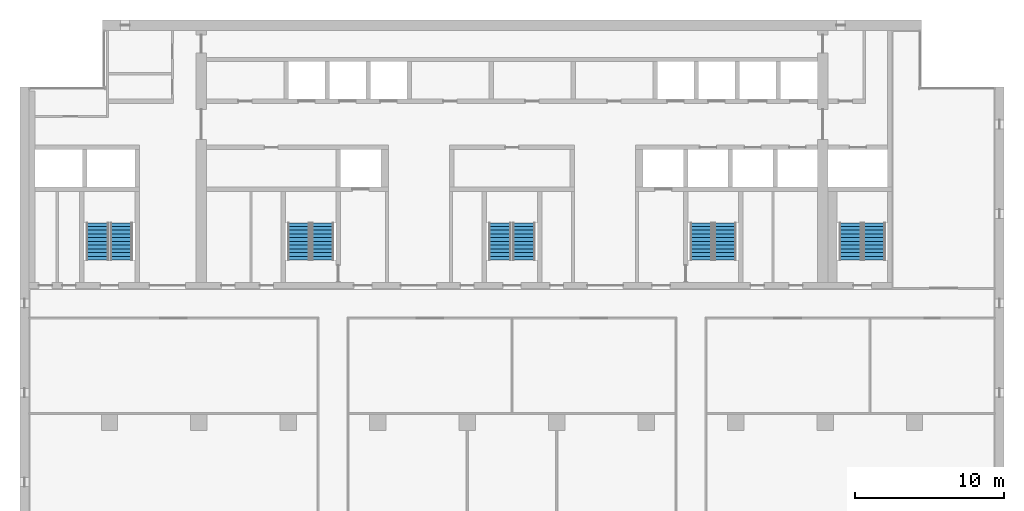
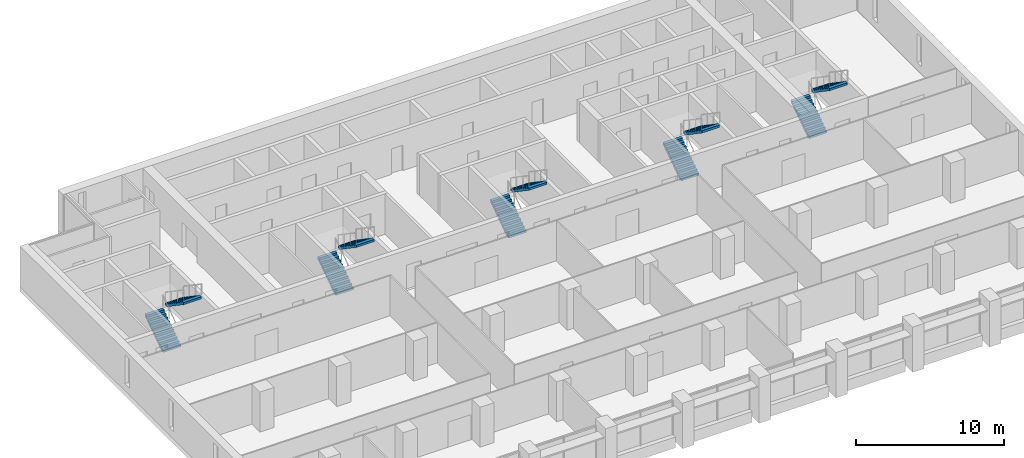
# One storey, part 13 of 17: 10 stair flights, 5 elements without a shape of their own.
"""IFC4 building model written with IfcOpenShell, lengths in metres."""

from ifc_helpers import new_model, si_unit, direction, frame, origin, place, context, subcontext, project, spatial, polyline, outline, extrude, material, type_object, element, aggregate, save


model = new_model("IFC4")

# Units and contexts
model_context = context("Model", 3, precision=1e-05, world=origin(), true_north=direction((0.0, 1.0)))
body_context = subcontext(model_context, "Body", "Model", "MODEL_VIEW")
ifc_project = project(units=[si_unit("LENGTHUNIT", "METRE"), si_unit("AREAUNIT", "SQUARE_METRE"), si_unit("VOLUMEUNIT", "CUBIC_METRE"), si_unit("PLANEANGLEUNIT", "RADIAN"), si_unit("MASSUNIT", "GRAM", prefix="KILO")], contexts=[model_context])

# Site, building, storey
site_placement = place(None, origin())
site = spatial("IfcSite", under=ifc_project, at=site_placement, CompositionType="ELEMENT")
building_placement = place(site_placement, origin())
building = spatial("IfcBuilding", under=site, at=building_placement, Name="Calvaro Tower", CompositionType="ELEMENT")
storey_placement = place(building_placement, frame((0.0, 0.0, 189.25)))
storey = spatial("IfcBuildingStorey", under=building, at=storey_placement, Name="L47", CompositionType="ELEMENT", Elevation=189.25)

# Stair, stair flights
ifc_material_1 = material(Name="Concrete C40/50", Category="concrete")
stair_type = type_object("IfcStairType", Name="Exit stair 1400 2 flights", PredefinedType="HALF_TURN_STAIR", material=ifc_material_1)
stair_1_placement = place(storey_placement, origin())
stair_1 = element("IfcStair", 1, at=stair_1_placement, inside=storey, type_object=stair_type, Name="Exit stair S1", PredefinedType="HALF_TURN_STAIR")
ifc_material_2 = material(Name="Concrete C40/50", Category="concrete")
stair_flight_type = type_object("IfcStairFlightType", Name="Stair flight", PredefinedType="STRAIGHT", material=ifc_material_2)
stair_flight_1_placement = place(storey_placement, frame((11.199951171875, 29.89990234375, 0.0), z_axis=(0.0, 0.0, 1.0), x_axis=(0.0, 1.0, 0.0)))
stair_flight_1 = element("IfcStairFlight", 2, at=stair_flight_1_placement, type_object=stair_flight_type, Name="Exit stair 1, flight 1", NumberOfRisers=11, NumberOfTreads=10, PredefinedType="STRAIGHT", RiserHeight=0.170454545, TreadLength=0.25, context=body_context, shape_type="SweptSolid", body=[
    extrude(outline(polyline([(0.0, 0.0), (0.0, 0.17041015625), (0.25, 0.17041015625), (0.25, 0.3408203125), (0.5, 0.3408203125), (0.5, 0.511474609375), (0.75, 0.511474609375), (0.75, 0.681884765625), (1.0, 0.681884765625), (1.0, 0.852294921875), (1.25, 0.852294921875), (1.25, 1.022705078125), (1.5, 1.022705078125), (1.5, 1.193115234375), (1.75, 1.193115234375), (1.75, 1.363525390625), (2.0, 1.363525390625), (2.0, 1.5341796875), (2.25, 1.5341796875), (2.25, 1.70458984375), (2.5, 1.70458984375), (2.5, 1.875), (2.5, 1.523193359375), (0.26611328125, 0.0), (0.0, 0.0)])), frame((0.0, 0.699951171875, 0.0), z_axis=(0.0, -1.0, 0.0), x_axis=(1.0, 0.0, 0.0)), (0.0, 0.0, 1.0), 1.39990234375),
])
stair_flight_2_placement = place(storey_placement, frame((12.800048828125, 32.39990234375, 1.875), z_axis=(0.0, 0.0, 1.0), x_axis=(0.0, -1.0, 0.0)))
stair_flight_2 = element("IfcStairFlight", 3, at=stair_flight_2_placement, type_object=stair_flight_type, Name="Exit stair 1, flight 2", NumberOfRisers=11, NumberOfTreads=10, PredefinedType="STRAIGHT", RiserHeight=0.170454545, TreadLength=0.25, context=body_context, shape_type="SweptSolid", body=[
    extrude(outline(polyline([(0.0, 0.0), (0.0, 0.17041015625), (0.25, 0.17041015625), (0.25, 0.3408203125), (0.5, 0.3408203125), (0.5, 0.511474609375), (0.75, 0.511474609375), (0.75, 0.681884765625), (1.0, 0.681884765625), (1.0, 0.852294921875), (1.25, 0.852294921875), (1.25, 1.022705078125), (1.5, 1.022705078125), (1.5, 1.193115234375), (1.75, 1.193115234375), (1.75, 1.363525390625), (2.0, 1.363525390625), (2.0, 1.5341796875), (2.25, 1.5341796875), (2.25, 1.70458984375), (2.5, 1.70458984375), (2.5, 1.875), (2.5, 1.523193359375), (0.26611328125, 0.0), (0.0, 0.0)])), frame((0.0, 0.699951171875, 0.0), z_axis=(0.0, -1.0, 0.0), x_axis=(1.0, 0.0, 0.0)), (0.0, 0.0, 1.0), 1.39990234375),
])
aggregate(stair_1, [stair_flight_1, stair_flight_2])

stair_2_placement = place(storey_placement, origin())
stair_2 = element("IfcStair", 4, at=stair_2_placement, inside=storey, type_object=stair_type, Name="Exit stair S2", PredefinedType="HALF_TURN_STAIR")
stair_flight_3_placement = place(storey_placement, frame((24.699951171875, 29.89990234375, 0.0), z_axis=(0.0, 0.0, 1.0), x_axis=(0.0, 1.0, 0.0)))
stair_flight_3 = element("IfcStairFlight", 5, at=stair_flight_3_placement, type_object=stair_flight_type, Name="Exit stair 2, flight 1", NumberOfRisers=11, NumberOfTreads=10, PredefinedType="STRAIGHT", RiserHeight=0.170454545, TreadLength=0.25, context=body_context, shape_type="SweptSolid", body=[
    extrude(outline(polyline([(0.0, 0.0), (0.0, 0.17041015625), (0.25, 0.17041015625), (0.25, 0.3408203125), (0.5, 0.3408203125), (0.5, 0.511474609375), (0.75, 0.511474609375), (0.75, 0.681884765625), (1.0, 0.681884765625), (1.0, 0.852294921875), (1.25, 0.852294921875), (1.25, 1.022705078125), (1.5, 1.022705078125), (1.5, 1.193115234375), (1.75, 1.193115234375), (1.75, 1.363525390625), (2.0, 1.363525390625), (2.0, 1.5341796875), (2.25, 1.5341796875), (2.25, 1.70458984375), (2.5, 1.70458984375), (2.5, 1.875), (2.5, 1.523193359375), (0.26611328125, 0.0), (0.0, 0.0)])), frame((0.0, 0.699951171875, 0.0), z_axis=(0.0, -1.0, 0.0), x_axis=(1.0, 0.0, 0.0)), (0.0, 0.0, 1.0), 1.39990234375),
])
stair_flight_4_placement = place(storey_placement, frame((26.300048828125, 32.39990234375, 1.875), z_axis=(0.0, 0.0, 1.0), x_axis=(0.0, -1.0, 0.0)))
stair_flight_4 = element("IfcStairFlight", 6, at=stair_flight_4_placement, type_object=stair_flight_type, Name="Exit stair 2, flight 2", NumberOfRisers=11, NumberOfTreads=10, PredefinedType="STRAIGHT", RiserHeight=0.170454545, TreadLength=0.25, context=body_context, shape_type="SweptSolid", body=[
    extrude(outline(polyline([(0.0, 0.0), (0.0, 0.17041015625), (0.25, 0.17041015625), (0.25, 0.3408203125), (0.5, 0.3408203125), (0.5, 0.511474609375), (0.75, 0.511474609375), (0.75, 0.681884765625), (1.0, 0.681884765625), (1.0, 0.852294921875), (1.25, 0.852294921875), (1.25, 1.022705078125), (1.5, 1.022705078125), (1.5, 1.193115234375), (1.75, 1.193115234375), (1.75, 1.363525390625), (2.0, 1.363525390625), (2.0, 1.5341796875), (2.25, 1.5341796875), (2.25, 1.70458984375), (2.5, 1.70458984375), (2.5, 1.875), (2.5, 1.523193359375), (0.26611328125, 0.0), (0.0, 0.0)])), frame((0.0, 0.699951171875, 0.0), z_axis=(0.0, -1.0, 0.0), x_axis=(1.0, 0.0, 0.0)), (0.0, 0.0, 1.0), 1.39990234375),
])
aggregate(stair_2, [stair_flight_3, stair_flight_4])

stair_3_placement = place(storey_placement, origin())
stair_3 = element("IfcStair", 7, at=stair_3_placement, inside=storey, type_object=stair_type, Name="Exit stair S3", PredefinedType="HALF_TURN_STAIR")
stair_flight_5_placement = place(storey_placement, frame((38.199951171875, 29.89990234375, 0.0), z_axis=(0.0, 0.0, 1.0), x_axis=(0.0, 1.0, 0.0)))
stair_flight_5 = element("IfcStairFlight", 8, at=stair_flight_5_placement, type_object=stair_flight_type, Name="Exit stair 3, flight 1", NumberOfRisers=11, NumberOfTreads=10, PredefinedType="STRAIGHT", RiserHeight=0.170454545, TreadLength=0.25, context=body_context, shape_type="SweptSolid", body=[
    extrude(outline(polyline([(0.0, 0.0), (0.0, 0.17041015625), (0.25, 0.17041015625), (0.25, 0.3408203125), (0.5, 0.3408203125), (0.5, 0.511474609375), (0.75, 0.511474609375), (0.75, 0.681884765625), (1.0, 0.681884765625), (1.0, 0.852294921875), (1.25, 0.852294921875), (1.25, 1.022705078125), (1.5, 1.022705078125), (1.5, 1.193115234375), (1.75, 1.193115234375), (1.75, 1.363525390625), (2.0, 1.363525390625), (2.0, 1.5341796875), (2.25, 1.5341796875), (2.25, 1.70458984375), (2.5, 1.70458984375), (2.5, 1.875), (2.5, 1.523193359375), (0.26611328125, 0.0), (0.0, 0.0)])), frame((0.0, 0.699951171875, 0.0), z_axis=(0.0, -1.0, 0.0), x_axis=(1.0, 0.0, 0.0)), (0.0, 0.0, 1.0), 1.39990234375),
])
stair_flight_6_placement = place(storey_placement, frame((39.800048828125, 32.39990234375, 1.875), z_axis=(0.0, 0.0, 1.0), x_axis=(0.0, -1.0, 0.0)))
stair_flight_6 = element("IfcStairFlight", 9, at=stair_flight_6_placement, type_object=stair_flight_type, Name="Exit stair 3, flight 2", NumberOfRisers=11, NumberOfTreads=10, PredefinedType="STRAIGHT", RiserHeight=0.170454545, TreadLength=0.25, context=body_context, shape_type="SweptSolid", body=[
    extrude(outline(polyline([(0.0, 0.0), (0.0, 0.17041015625), (0.25, 0.17041015625), (0.25, 0.3408203125), (0.5, 0.3408203125), (0.5, 0.511474609375), (0.75, 0.511474609375), (0.75, 0.681884765625), (1.0, 0.681884765625), (1.0, 0.852294921875), (1.25, 0.852294921875), (1.25, 1.022705078125), (1.5, 1.022705078125), (1.5, 1.193115234375), (1.75, 1.193115234375), (1.75, 1.363525390625), (2.0, 1.363525390625), (2.0, 1.5341796875), (2.25, 1.5341796875), (2.25, 1.70458984375), (2.5, 1.70458984375), (2.5, 1.875), (2.5, 1.523193359375), (0.26611328125, 0.0), (0.0, 0.0)])), frame((0.0, 0.699951171875, 0.0), z_axis=(0.0, -1.0, 0.0), x_axis=(1.0, 0.0, 0.0)), (0.0, 0.0, 1.0), 1.39990234375),
])
aggregate(stair_3, [stair_flight_5, stair_flight_6])

stair_4_placement = place(storey_placement, origin())
stair_4 = element("IfcStair", 10, at=stair_4_placement, inside=storey, type_object=stair_type, Name="Exit stair S4", PredefinedType="HALF_TURN_STAIR")
stair_flight_7_placement = place(storey_placement, frame((51.699951171875, 29.89990234375, 0.0), z_axis=(0.0, 0.0, 1.0), x_axis=(0.0, 1.0, 0.0)))
stair_flight_7 = element("IfcStairFlight", 11, at=stair_flight_7_placement, type_object=stair_flight_type, Name="Exit stair 4, flight 1", NumberOfRisers=11, NumberOfTreads=10, PredefinedType="STRAIGHT", RiserHeight=0.170454545, TreadLength=0.25, context=body_context, shape_type="SweptSolid", body=[
    extrude(outline(polyline([(0.0, 0.0), (0.0, 0.17041015625), (0.25, 0.17041015625), (0.25, 0.3408203125), (0.5, 0.3408203125), (0.5, 0.511474609375), (0.75, 0.511474609375), (0.75, 0.681884765625), (1.0, 0.681884765625), (1.0, 0.852294921875), (1.25, 0.852294921875), (1.25, 1.022705078125), (1.5, 1.022705078125), (1.5, 1.193115234375), (1.75, 1.193115234375), (1.75, 1.363525390625), (2.0, 1.363525390625), (2.0, 1.5341796875), (2.25, 1.5341796875), (2.25, 1.70458984375), (2.5, 1.70458984375), (2.5, 1.875), (2.5, 1.523193359375), (0.26611328125, 0.0), (0.0, 0.0)])), frame((0.0, 0.699951171875, 0.0), z_axis=(0.0, -1.0, 0.0), x_axis=(1.0, 0.0, 0.0)), (0.0, 0.0, 1.0), 1.39990234375),
])
stair_flight_8_placement = place(storey_placement, frame((53.300048828125, 32.39990234375, 1.875), z_axis=(0.0, 0.0, 1.0), x_axis=(0.0, -1.0, 0.0)))
stair_flight_8 = element("IfcStairFlight", 12, at=stair_flight_8_placement, type_object=stair_flight_type, Name="Exit stair 4, flight 2", NumberOfRisers=11, NumberOfTreads=10, PredefinedType="STRAIGHT", RiserHeight=0.170454545, TreadLength=0.25, context=body_context, shape_type="SweptSolid", body=[
    extrude(outline(polyline([(0.0, 0.0), (0.0, 0.17041015625), (0.25, 0.17041015625), (0.25, 0.3408203125), (0.5, 0.3408203125), (0.5, 0.511474609375), (0.75, 0.511474609375), (0.75, 0.681884765625), (1.0, 0.681884765625), (1.0, 0.852294921875), (1.25, 0.852294921875), (1.25, 1.022705078125), (1.5, 1.022705078125), (1.5, 1.193115234375), (1.75, 1.193115234375), (1.75, 1.363525390625), (2.0, 1.363525390625), (2.0, 1.5341796875), (2.25, 1.5341796875), (2.25, 1.70458984375), (2.5, 1.70458984375), (2.5, 1.875), (2.5, 1.523193359375), (0.26611328125, 0.0), (0.0, 0.0)])), frame((0.0, 0.699951171875, 0.0), z_axis=(0.0, -1.0, 0.0), x_axis=(1.0, 0.0, 0.0)), (0.0, 0.0, 1.0), 1.39990234375),
])
aggregate(stair_4, [stair_flight_7, stair_flight_8])

stair_5_placement = place(storey_placement, origin())
stair_5 = element("IfcStair", 13, at=stair_5_placement, inside=storey, type_object=stair_type, Name="Exit stair S5", PredefinedType="HALF_TURN_STAIR")
stair_flight_9_placement = place(storey_placement, frame((61.699951171875, 29.89990234375, 0.0), z_axis=(0.0, 0.0, 1.0), x_axis=(0.0, 1.0, 0.0)))
stair_flight_9 = element("IfcStairFlight", 14, at=stair_flight_9_placement, type_object=stair_flight_type, Name="Exit stair 5, flight 1", NumberOfRisers=11, NumberOfTreads=10, PredefinedType="STRAIGHT", RiserHeight=0.170454545, TreadLength=0.25, context=body_context, shape_type="SweptSolid", body=[
    extrude(outline(polyline([(0.0, 0.0), (0.0, 0.17041015625), (0.25, 0.17041015625), (0.25, 0.3408203125), (0.5, 0.3408203125), (0.5, 0.511474609375), (0.75, 0.511474609375), (0.75, 0.681884765625), (1.0, 0.681884765625), (1.0, 0.852294921875), (1.25, 0.852294921875), (1.25, 1.022705078125), (1.5, 1.022705078125), (1.5, 1.193115234375), (1.75, 1.193115234375), (1.75, 1.363525390625), (2.0, 1.363525390625), (2.0, 1.5341796875), (2.25, 1.5341796875), (2.25, 1.70458984375), (2.5, 1.70458984375), (2.5, 1.875), (2.5, 1.523193359375), (0.26611328125, 0.0), (0.0, 0.0)])), frame((0.0, 0.699951171875, 0.0), z_axis=(0.0, -1.0, 0.0), x_axis=(1.0, 0.0, 0.0)), (0.0, 0.0, 1.0), 1.39990234375),
])
stair_flight_10_placement = place(storey_placement, frame((63.300048828125, 32.39990234375, 1.875), z_axis=(0.0, 0.0, 1.0), x_axis=(0.0, -1.0, 0.0)))
stair_flight_10 = element("IfcStairFlight", 15, at=stair_flight_10_placement, type_object=stair_flight_type, Name="Exit stair 5, flight 2", NumberOfRisers=11, NumberOfTreads=10, PredefinedType="STRAIGHT", RiserHeight=0.170454545, TreadLength=0.25, context=body_context, shape_type="SweptSolid", body=[
    extrude(outline(polyline([(0.0, 0.0), (0.0, 0.17041015625), (0.25, 0.17041015625), (0.25, 0.3408203125), (0.5, 0.3408203125), (0.5, 0.511474609375), (0.75, 0.511474609375), (0.75, 0.681884765625), (1.0, 0.681884765625), (1.0, 0.852294921875), (1.25, 0.852294921875), (1.25, 1.022705078125), (1.5, 1.022705078125), (1.5, 1.193115234375), (1.75, 1.193115234375), (1.75, 1.363525390625), (2.0, 1.363525390625), (2.0, 1.5341796875), (2.25, 1.5341796875), (2.25, 1.70458984375), (2.5, 1.70458984375), (2.5, 1.875), (2.5, 1.523193359375), (0.26611328125, 0.0), (0.0, 0.0)])), frame((0.0, 0.699951171875, 0.0), z_axis=(0.0, -1.0, 0.0), x_axis=(1.0, 0.0, 0.0)), (0.0, 0.0, 1.0), 1.39990234375),
])
aggregate(stair_5, [stair_flight_9, stair_flight_10])

save(model, "model.ifc")
